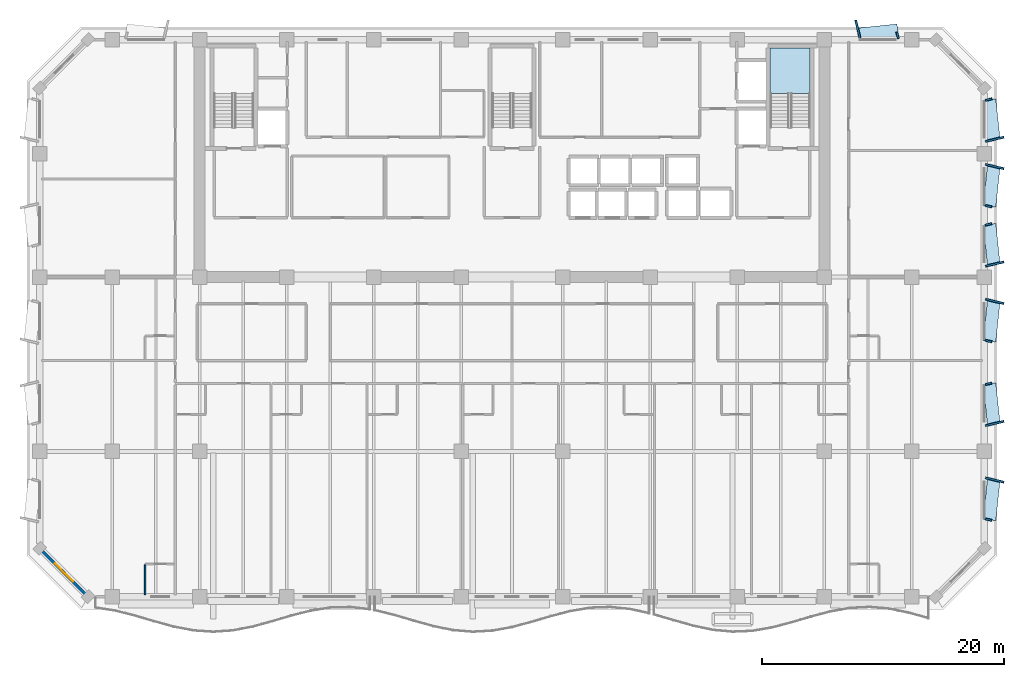
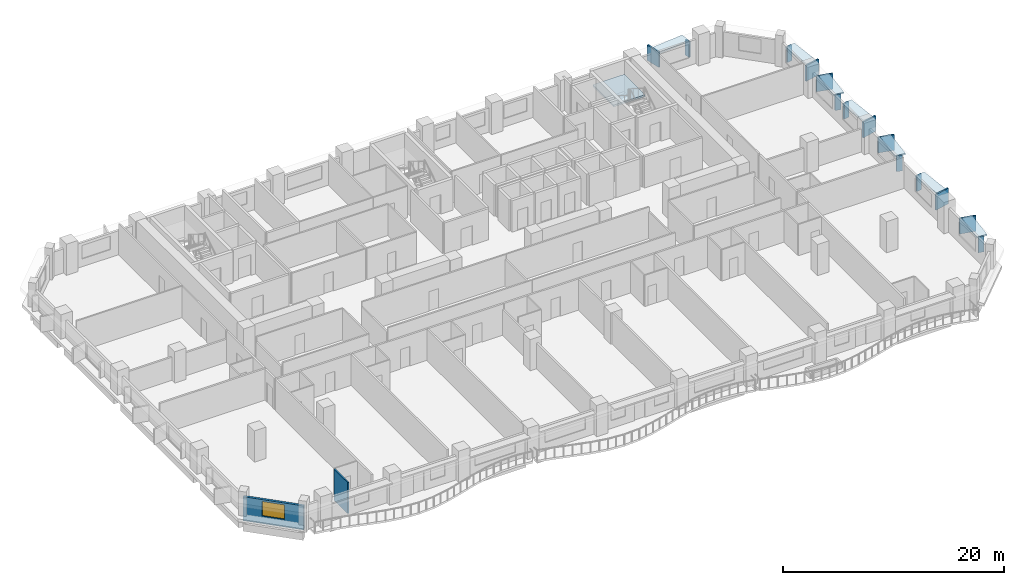
# One storey, part 3 of 15: 21 plates, 2 walls, 1 slab, 1 window, 1 opening, 1 element without a shape of its own.
"""IFC4 building model written with IfcOpenShell, lengths in metres."""

from ifc_helpers import new_model, si_unit, direction, frame, frame_2d, origin, origin_2d, place, context, subcontext, project, spatial, polyline, rectangle, outline, extrude, material, layer, layer_set, type_object, element, fill, aggregate, save


model = new_model("IFC4")

# Units and contexts
model_context = context("Model", 3, precision=1e-05, world=origin(), true_north=direction((0.0, 1.0)))
body_context = subcontext(model_context, "Body", "Model", "MODEL_VIEW")
ifc_project = project(units=[si_unit("LENGTHUNIT", "METRE"), si_unit("AREAUNIT", "SQUARE_METRE"), si_unit("VOLUMEUNIT", "CUBIC_METRE"), si_unit("PLANEANGLEUNIT", "RADIAN"), si_unit("MASSUNIT", "GRAM", prefix="KILO")], contexts=[model_context])

# Site, building, storey
site_placement = place(None, origin())
site = spatial("IfcSite", under=ifc_project, at=site_placement, CompositionType="ELEMENT")
building_placement = place(site_placement, origin())
building = spatial("IfcBuilding", under=site, at=building_placement, Name="Kaelvorn Grand Hotel", CompositionType="ELEMENT")
storey_placement = place(building_placement, frame((0.0, 0.0, 180.949951171875)))
storey = spatial("IfcBuildingStorey", under=building, at=storey_placement, Name="L44", CompositionType="ELEMENT", Elevation=180.949951171875)

# Plates
ifc_material_1 = material(Name="Precast concrete C45/55", Category="concrete")
ifc_layer_1 = layer(ifc_material_1, 0.159912109375)
ifc_layer_set_1 = layer_set([ifc_layer_1], Name="Precast concrete C45/55")
plate_type_1 = type_object("IfcPlateType", Name="PL-FRAME-DEEP-1550", PredefinedType="USERDEFINED", material=ifc_layer_set_1)
for number, where, z_axis, x_axis, name in (
    (1, (81.85498046875, 12.639892578125, 0.740234375), (0.0, 0.0, 1.0), (0.233445363856, 0.972369920398, 0.0), "L44 Tilted Precast Window Frame Fin R-E01"),
    (2, (81.85498046875, 17.31005859375, 0.740234375), (0.0, 0.0, 1.0), (-0.233445363856, 0.972369920398, 0.0), "L44 Tilted Precast Window Frame Fin L-E02"),
    (3, (81.85498046875, 27.389892578125, 0.740234375), (0.0, 0.0, 1.0), (0.233445363856, 0.972369920398, 0.0), "L44 Tilted Precast Window Frame Fin R-E03"),
    (4, (81.85498046875, 30.47509765625, 0.740234375), (0.0, 0.0, 1.0), (-0.233445363856, 0.972369920398, 0.0), "L44 Tilted Precast Window Frame Fin L-E04"),
    (5, (81.85498046875, 38.52490234375, 0.740234375), (0.0, 0.0, 1.0), (0.233445363856, 0.972369920398, 0.0), "L44 Tilted Precast Window Frame Fin R-E05"),
    (6, (81.85498046875, 40.77490234375, 0.740234375), (0.0, 0.0, 1.0), (-0.233445363856, 0.972369920398, 0.0), "L44 Tilted Precast Window Frame Fin L-E06"),
    (7, (70.56005859375, 49.85498046875, 0.740234375), (0.0, 0.0, 1.0), (0.972369920398, 0.233445363856, 0.0), "L44 Tilted Precast Window Frame Fin L-N02"),
):
    element("IfcPlate", number, at=place(storey_placement, frame(where, z_axis=z_axis, x_axis=x_axis)), inside=storey, type_object=plate_type_1, Name=name, ObjectType="FLANGE_PLATE", PredefinedType="USERDEFINED", context=body_context, shape_type="SweptSolid", body=[
        extrude(rectangle(XDim=0.159912109375, YDim=1.550048828125, at=origin_2d()), origin(), (0.0, 0.0, 1.0), 1.719970703125),
    ])
ifc_layer_2 = layer(ifc_material_1, 0.159912109375)
ifc_layer_set_2 = layer_set([ifc_layer_2], Name="Precast concrete C45/55")
plate_type_2 = type_object("IfcPlateType", Name="PL-FRAME-HEAD-1050", PredefinedType="USERDEFINED", material=ifc_layer_set_2)
for number, where, z_axis, x_axis, name in (
    (8, (81.60498046875, 11.0, 2.35009765625), (0.0, 0.0, 1.0), (0.105830199459, 0.994384215926, 0.0), "L44 Precast Window Frame Head Hood H-E01"),
    (9, (81.60498046875, 18.949951171875, 2.35009765625), (0.0, 0.0, 1.0), (-0.105830199459, 0.994384215926, 0.0), "L44 Precast Window Frame Head Hood H-E02"),
    (10, (81.60498046875, 25.75, 2.35009765625), (0.0, 0.0, 1.0), (0.105830199459, 0.994384215926, 0.0), "L44 Precast Window Frame Head Hood H-E03"),
    (11, (81.60498046875, 32.114990234375, 2.35009765625), (0.0, 0.0, 1.0), (-0.105830199459, 0.994384215926, 0.0), "L44 Precast Window Frame Head Hood H-E04"),
    (12, (81.60498046875, 36.885009765625, 2.35009765625), (0.0, 0.0, 1.0), (0.105830199459, 0.994384215926, 0.0), "L44 Precast Window Frame Head Hood H-E05"),
    (13, (81.60498046875, 42.4150390625, 2.35009765625), (0.0, 0.0, 1.0), (-0.105830199459, 0.994384215926, 0.0), "L44 Precast Window Frame Head Hood H-E06"),
    (14, (72.199951171875, 49.60498046875, 2.35009765625), (0.0, 0.0, 1.0), (0.994384215926, 0.105830199459, 0.0), "L44 Precast Window Frame Head Hood H-N02"),
):
    element("IfcPlate", number, at=place(storey_placement, frame(where, z_axis=z_axis, x_axis=x_axis)), inside=storey, type_object=plate_type_2, Name=name, ObjectType="FLANGE_PLATE", PredefinedType="USERDEFINED", context=body_context, shape_type="SweptSolid", body=[
        extrude(rectangle(XDim=3.320068359375, YDim=1.050048828125, at=origin_2d()), origin(), (0.0, 0.0, 1.0), 0.159912109375),
    ])
ifc_layer_3 = layer(ifc_material_1, 0.159912109375)
ifc_layer_set_3 = layer_set([ifc_layer_3], Name="Precast concrete C45/55")
plate_type_3 = type_object("IfcPlateType", Name="PL-FRAME-SHAL-550", PredefinedType="USERDEFINED", material=ifc_layer_set_3)
for number, where, z_axis, x_axis, name in (
    (15, (81.35498046875, 9.360107421875, 0.740234375), (0.0, 0.0, 1.0), (0.233445363856, 0.972369920398, 0.0), "L44 Tilted Precast Window Frame Fin L-E01"),
    (16, (81.35498046875, 20.590087890625, 0.740234375), (0.0, 0.0, 1.0), (-0.233445363856, 0.972369920398, 0.0), "L44 Tilted Precast Window Frame Fin R-E02"),
    (17, (81.35498046875, 24.110107421875, 0.740234375), (0.0, 0.0, 1.0), (0.233445363856, 0.972369920398, 0.0), "L44 Tilted Precast Window Frame Fin L-E03"),
    (18, (81.35498046875, 33.7548828125, 0.740234375), (0.0, 0.0, 1.0), (-0.233445363856, 0.972369920398, 0.0), "L44 Tilted Precast Window Frame Fin R-E04"),
    (19, (81.35498046875, 35.2451171875, 0.740234375), (0.0, 0.0, 1.0), (0.233445363856, 0.972369920398, 0.0), "L44 Tilted Precast Window Frame Fin L-E05"),
    (20, (81.35498046875, 44.054931640625, 0.740234375), (0.0, 0.0, 1.0), (-0.233445363856, 0.972369920398, 0.0), "L44 Tilted Precast Window Frame Fin R-E06"),
    (21, (73.840087890625, 49.35498046875, 0.740234375), (0.0, 0.0, 1.0), (0.972369920398, 0.233445363856, 0.0), "L44 Tilted Precast Window Frame Fin R-N02"),
):
    element("IfcPlate", number, at=place(storey_placement, frame(where, z_axis=z_axis, x_axis=x_axis)), inside=storey, type_object=plate_type_3, Name=name, ObjectType="FLANGE_PLATE", PredefinedType="USERDEFINED", context=body_context, shape_type="SweptSolid", body=[
        extrude(rectangle(XDim=0.159912109375, YDim=0.550048828125, at=origin_2d()), origin(), (0.0, 0.0, 1.0), 1.719970703125),
    ])

# Stair, slab
ifc_material_2 = material(Name="Concrete C40/50", Category="concrete")
stair_type = type_object("IfcStairType", Name="STR-DOG-1560-R08", PredefinedType="HALF_TURN_STAIR", material=ifc_material_2)
stair_placement = place(storey_placement, origin())
stair = element("IfcStair", 22, at=stair_placement, inside=storey, type_object=stair_type, Name="L44 East Core Exit Stair ST3", PredefinedType="HALF_TURN_STAIR")
ifc_layer_4 = layer(ifc_material_2, 0.199951171875)
ifc_layer_set_4 = layer_set([ifc_layer_4], Name="Concrete C40/50")
slab_type = type_object("IfcSlabType", Name="SLB-LAND-200-C40", PredefinedType="LANDING", material=ifc_layer_set_4)
slab_placement = place(storey_placement, frame((0.0, 0.0, 1.699951171875)))
slab = element("IfcSlab", 23, at=slab_placement, type_object=slab_type, Name="ST3 landing 1", PredefinedType="LANDING", context=body_context, shape_type="SweptSolid", body=[
    extrude(outline(polyline([(66.60009765625, 44.56005859375), (66.60009765625, 48.300048828125), (63.320068359375, 48.300048828125), (63.320068359375, 44.56005859375), (66.60009765625, 44.56005859375)])), origin(), (0.0, 0.0, 1.0), 0.2001953125),
])
aggregate(stair, [slab])

# Wall, opening, window
ifc_layer_5 = layer(ifc_material_2, 0.239990234375)
ifc_layer_set_5 = layer_set([ifc_layer_5], Name="Concrete C40/50")
wall_type_1 = type_object("IfcWallType", Name="WL-EXT-240-C40", PredefinedType="SOLIDWALL", material=ifc_layer_set_5)
wall_1_placement = place(storey_placement, frame((3.0, 7.0, 0.0), z_axis=(0.0, 0.0, 1.0), x_axis=(0.707106781187, -0.707106781187, 0.0)))
wall_1 = element("IfcWall", 24, at=wall_1_placement, inside=storey, type_object=wall_type_1, Name="L44 Exterior Architectural Concrete Wall 08", PredefinedType="SOLIDWALL", context=body_context, shape_type="SweptSolid", body=[
    extrude(rectangle(XDim=5.65673828125, YDim=0.239990234375, at=frame_2d((2.828369140625, 0.0))), origin(), (0.0, 0.0, 1.0), 2.650146484375),
])
opening_placement = place(wall_1_placement, frame((1.7783203125, 0.0, 0.85009765625)))
opening = element("IfcOpeningElement", 25, at=opening_placement, cuts=wall_1, Name="Opening W7", PredefinedType="OPENING", context=body_context, shape_type="SweptSolid", body=[
    extrude(rectangle(XDim=2.10009765625, YDim=1.60009765625, at=frame_2d((1.050048828125, 0.800048828125))), frame((0.0, 0.1298828125, 0.0), z_axis=(0.0, -1.0, 0.0), x_axis=(1.0, 0.0, 0.0)), (0.0, 0.0, 1.0), 0.260009765625),
])
ifc_material_3 = material(Name="Laminated Low-E Glass", Category="glass")
window_type = type_object("IfcWindowType", Name="WIN-CHM-2100x1600", PartitioningType="SINGLE_PANEL", PredefinedType="WINDOW", material=ifc_material_3)
window_placement = place(opening_placement, origin())
window = element("IfcWindow", 26, at=window_placement, inside=storey, type_object=window_type, Name="L44 Chamfered 45-Degree Corner Window SW", OverallHeight=1.60009765625, OverallWidth=2.10009765625, PartitioningType="SINGLE_PANEL", PredefinedType="WINDOW", context=body_context, shape_type="SweptSolid", body=[
    extrude(rectangle(XDim=2.10009765625, YDim=1.60009765625, at=frame_2d((1.050048828125, 0.800048828125))), frame((0.0, 0.030029296875, 0.0), z_axis=(0.0, -1.0, 0.0), x_axis=(1.0, 0.0, 0.0)), (0.0, 0.0, 1.0), 0.06005859375),
])
fill(opening, window)

# Wall
ifc_material_4 = material(Name="Moisture-Resistant Tile & Stud Board")
ifc_layer_6 = layer(ifc_material_4, 0.125)
ifc_layer_set_6 = layer_set([ifc_layer_6], Name="Moisture-Resistant Tile & Stud Board")
wall_type_2 = type_object("IfcWallType", Name="WL-PART-125-WET", PredefinedType="PARTITIONING", material=ifc_layer_set_6)
wall_2_placement = place(storey_placement, frame((11.699951171875, 3.14990234375, 0.0), z_axis=(0.0, 0.0, 1.0), x_axis=(0.0, 1.0, 0.0)))
element("IfcWall", 27, at=wall_2_placement, inside=storey, type_object=wall_type_2, Name="L44 En-suite Bathroom L44-08 W Partition", PredefinedType="PARTITIONING", context=body_context, shape_type="SweptSolid", body=[
    extrude(rectangle(XDim=2.482666015625, YDim=0.125, at=frame_2d((1.2412109375, 0.0))), origin(), (0.0, 0.0, 1.0), 3.449951171875),
])

save(model, "model.ifc")
